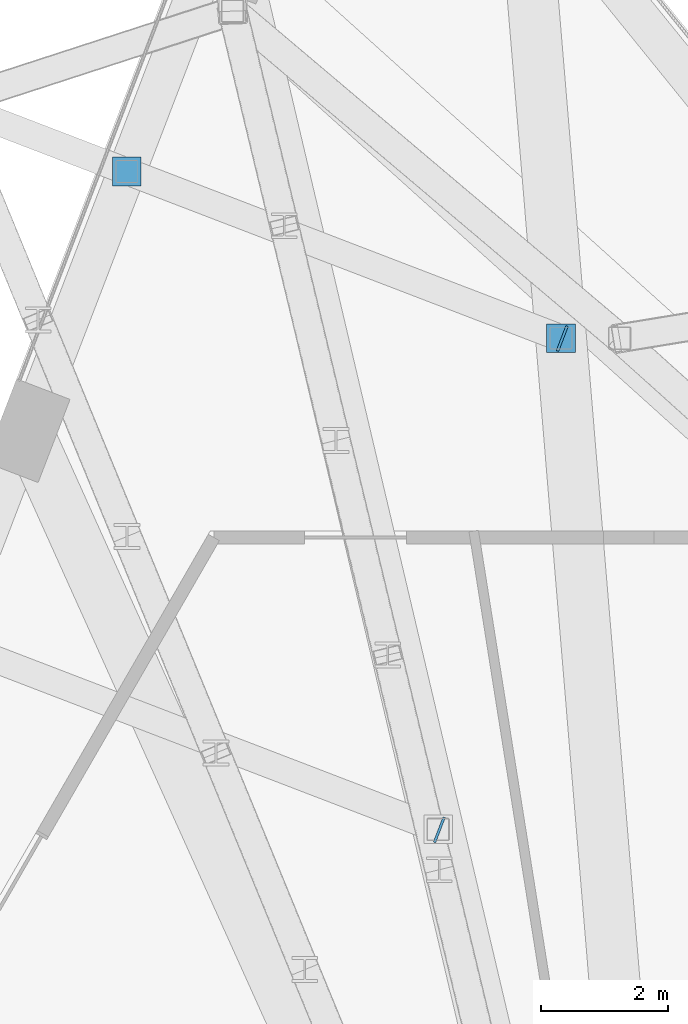
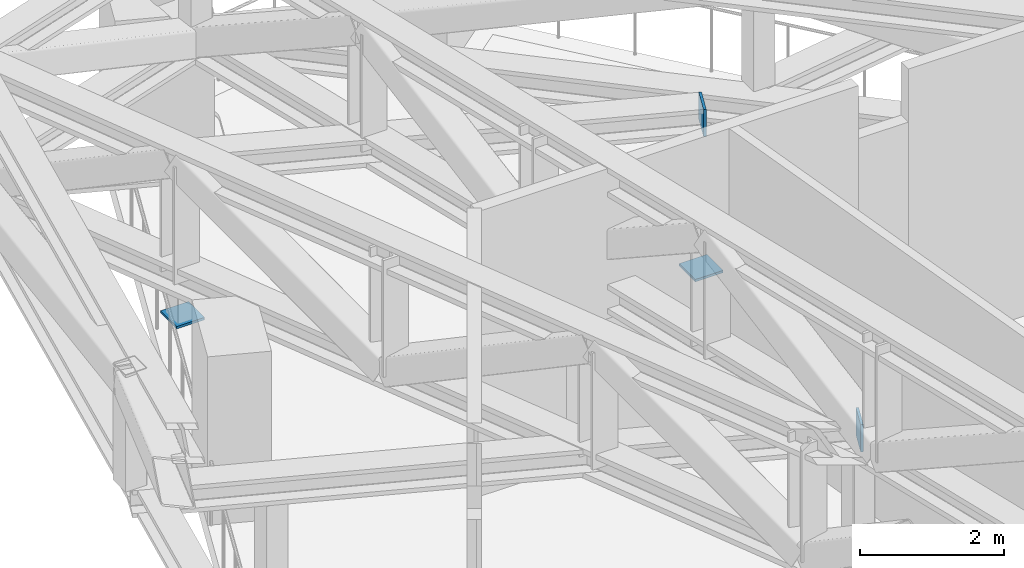
# One storey, part 16 of 20: 4 discrete accessories.
"""IFC4 building model written with IfcOpenShell, lengths in metres."""

import ifcopenshell
import ifcopenshell.guid

model = None  # the IFC model being written
_history = None  # IfcOwnerHistory: only IFC2X3 demands one
_inside = {}  # id of a spatial element -> (the spatial element, [elements in it])
_under = {}  # id of a project, library or spatial element -> (it, [spatial elements below it])
_declared = {}  # id of a project -> (the project, [libraries it declares])
_typed = {}  # id of a type object -> (the type object, [elements of that type])
_made_of = {}  # id of a material, layer set ... -> (it, [elements and type objects made of it])


def new_model(schema):
    """Start an empty IFC model of exactly this schema.

    Asked for "IFC4X3", IfcOpenShell would pick the latest addendum, in which some entities
    have other attributes; the version numbers below select the first issue.
    IFC2X3 requires an IfcOwnerHistory on every rooted entity: one is made here for all.
    """
    global model, _history
    if schema == "IFC4X3":
        model = ifcopenshell.file(schema_version=(4, 3, 0, 0))
    else:
        model = ifcopenshell.file(schema=schema)
    _inside.clear()
    _under.clear()
    _declared.clear()
    _typed.clear()
    _made_of.clear()
    _history = None
    if model.schema == "IFC2X3":
        org = make("IfcOrganization", Name="unknown")
        user = make(
            "IfcPersonAndOrganization",
            ThePerson=make("IfcPerson", FamilyName="unknown"),
            TheOrganization=org,
        )
        app = make(
            "IfcApplication",
            ApplicationDeveloper=org,
            Version="unknown",
            ApplicationFullName="unknown",
            ApplicationIdentifier="unknown",
        )
        _history = make(
            "IfcOwnerHistory",
            OwningUser=user,
            OwningApplication=app,
            ChangeAction="ADDED",
            CreationDate=0,
        )
    return model


def make(cls, **values):
    """One entity of the class cls with the attributes given. An attribute that is None is left unset."""
    return model.create_entity(
        cls, **{name: value for name, value in values.items() if value is not None}
    )


def rooted(cls, **values):
    """An entity with a GlobalId (a new one), such as an element, a storey or a relation."""
    return make(cls, GlobalId=ifcopenshell.guid.new(), OwnerHistory=_history, **values)


def si_unit(unit_type, name, prefix=None):
    """IfcSIUnit, for example si_unit("LENGTHUNIT", "METRE", prefix="MILLI")."""
    return make("IfcSIUnit", UnitType=unit_type, Prefix=prefix, Name=name)


def assignment(units):
    """IfcUnitAssignment: the units of a project."""
    return None if units is None else make("IfcUnitAssignment", Units=units)


def point(xyz):
    """IfcCartesianPoint."""
    return None if xyz is None else make("IfcCartesianPoint", Coordinates=xyz)


def direction(xyz):
    """IfcDirection."""
    return None if xyz is None else make("IfcDirection", DirectionRatios=xyz)


def frame(location, z_axis=None, x_axis=None):
    """IfcAxis2Placement3D, a coordinate frame: its origin and axes. An axis left out is left unset."""
    return make(
        "IfcAxis2Placement3D",
        Location=point(location),
        Axis=direction(z_axis),
        RefDirection=direction(x_axis),
    )


def frame_2d(location, x_axis=None):
    """IfcAxis2Placement2D, a coordinate frame in the plane: its origin and x axis."""
    return make(
        "IfcAxis2Placement2D", Location=point(location), RefDirection=direction(x_axis)
    )


def origin():
    """The frame at (0, 0, 0) with its axes left unset."""
    return frame((0.0, 0.0, 0.0))


def origin_2d():
    """The frame at (0, 0) in the plane with its x axis left unset."""
    return frame_2d((0.0, 0.0))


def place(relative_to, where):
    """IfcLocalPlacement: puts the frame where relative to a parent placement (None: the world)."""
    return make(
        "IfcLocalPlacement", PlacementRelTo=relative_to, RelativePlacement=where
    )


def context(
    kind, dimensions, precision=None, world=None, true_north=None, identifier=None
):
    """IfcGeometricRepresentationContext, for example the 3D "Model" context."""
    return make(
        "IfcGeometricRepresentationContext",
        ContextIdentifier=identifier,
        ContextType=kind,
        CoordinateSpaceDimension=dimensions,
        Precision=precision,
        WorldCoordinateSystem=world,
        TrueNorth=true_north,
    )


def subcontext(parent, identifier, kind, view, scale=None):
    """IfcGeometricRepresentationSubContext, for example "Body" below "Model"."""
    return make(
        "IfcGeometricRepresentationSubContext",
        ContextIdentifier=identifier,
        ContextType=kind,
        ParentContext=parent,
        TargetScale=scale,
        TargetView=view,
    )


def project(units=None, contexts=None):
    """IfcProject with its units and contexts."""
    return rooted(
        "IfcProject",
        Name="project",
        RepresentationContexts=contexts,
        UnitsInContext=assignment(units),
    )


def spatial(cls, under=None, at=None, **own):
    """A site, building, storey or space (cls), placed at a placement, below another one or the project."""
    s = rooted(cls, ObjectPlacement=at, **own)
    if under is not None:
        _under.setdefault(under.id(), (under, []))[1].append(s)
    return s


def profile(cls, at=None, kind="AREA", **sizes):
    """A parametric profile (cls). Its sizes go by their IFC names, for example OverallWidth=200.0."""
    return make(cls, ProfileType=kind, Position=at, **sizes)


def rectangle(**sizes):
    """IfcRectangleProfileDef."""
    return profile("IfcRectangleProfileDef", **sizes)


def extrude(swept, where, along, depth):
    """IfcExtrudedAreaSolid: the profile swept, set in the frame where, extruded along a direction by depth."""
    return make(
        "IfcExtrudedAreaSolid",
        SweptArea=swept,
        Position=where,
        ExtrudedDirection=direction(along),
        Depth=depth,
    )


def shape(context_of_items, identifier, shape_type, items):
    """IfcShapeRepresentation: the items that make up one representation, for example the "Body"."""
    return make(
        "IfcShapeRepresentation",
        ContextOfItems=context_of_items,
        RepresentationIdentifier=identifier,
        RepresentationType=shape_type,
        Items=items,
    )


def material(Name=None, Category=None):
    """IfcMaterial."""
    return make("IfcMaterial", Name=Name, Category=Category)


def layer(
    of_material, thickness, ventilated=None, Name=None, Category=None, Priority=None
):
    """IfcMaterialLayer: one layer of a wall or slab, of a material (None: an air gap)."""
    return make(
        "IfcMaterialLayer",
        Material=of_material,
        LayerThickness=thickness,
        IsVentilated=ventilated,
        Name=Name,
        Category=Category,
        Priority=Priority,
    )


def layer_set(layers, Name=None):
    """IfcMaterialLayerSet."""
    return make("IfcMaterialLayerSet", MaterialLayers=layers, LayerSetName=Name)


def made_of(thing, what):
    """Note that an element or type object is made of a material, layer set ...; save() writes the relation."""
    if what is not None:
        _made_of.setdefault(what.id(), (what, []))[1].append(thing)
    return thing


def type_object(cls, material=None, **own):
    """A type object (cls), such as IfcWallType, which elements share."""
    return made_of(rooted(cls, **own), material)


def element(
    cls,
    number,
    at=None,
    inside=None,
    cuts=None,
    type_object=None,
    material=None,
    context=None,
    identifier="Body",
    shape_type=None,
    held_by="IfcProductDefinitionShape",
    body=None,
    shapes=None,
    **own,
):
    """One element of the class cls, such as IfcWall. Its Tag is "e" and its number.

    at: its placement. inside: the storey or other place that contains it. cuts: it is an
    opening in that element (IfcRelVoidsElement). A single representation is given by context,
    identifier, shape_type and body (its items); several are given by shapes. held_by: the class
    of the entity that holds the representations. save() writes the other relations.
    """
    e = rooted(cls, Tag="e%d" % number, ObjectPlacement=at, **own)
    if body is not None:
        shapes = [shape(context, identifier, shape_type, body)]
    if shapes is not None:
        e.Representation = make(held_by, Representations=shapes)
    if inside is not None:
        _inside.setdefault(inside.id(), (inside, []))[1].append(e)
    if cuts is not None:
        rooted(
            "IfcRelVoidsElement", RelatingBuildingElement=cuts, RelatedOpeningElement=e
        )
    if type_object is not None:
        _typed.setdefault(type_object.id(), (type_object, []))[1].append(e)
    return made_of(e, material)


def aggregate(whole, parts):
    """IfcRelAggregates: a whole, such as a stair, and the parts it consists of."""
    return rooted("IfcRelAggregates", RelatingObject=whole, RelatedObjects=parts)


def save(model, path):
    """Write the relations noted so far, then the file.

    IfcRelAggregates (storeys below a building ...), IfcRelContainedInSpatialStructure (elements
    in a storey), IfcRelDefinesByType, IfcRelAssociatesMaterial and IfcRelDeclares: one each for
    every whole, place, type object, material and project.
    """
    for whole, parts in _under.values():
        aggregate(whole, parts)
    for where, things in _inside.values():
        rooted(
            "IfcRelContainedInSpatialStructure",
            RelatedElements=things,
            RelatingStructure=where,
        )
    for kind, things in _typed.values():
        rooted("IfcRelDefinesByType", RelatedObjects=things, RelatingType=kind)
    for what, things in _made_of.values():
        rooted("IfcRelAssociatesMaterial", RelatedObjects=things, RelatingMaterial=what)
    for by, libraries in _declared.values():
        rooted("IfcRelDeclares", RelatingContext=by, RelatedDefinitions=libraries)
    model.write(path)


model = new_model("IFC4")

# Units and contexts
model_context = context("Model", 3, precision=1e-05, world=origin(), true_north=direction((0.0, 1.0)))
body_context = subcontext(model_context, "Body", "Model", "MODEL_VIEW")
ifc_project = project(units=[si_unit("LENGTHUNIT", "METRE"), si_unit("AREAUNIT", "SQUARE_METRE"), si_unit("VOLUMEUNIT", "CUBIC_METRE"), si_unit("PLANEANGLEUNIT", "RADIAN"), si_unit("MASSUNIT", "GRAM", prefix="KILO")], contexts=[model_context])

# Site, building, storey
site_placement = place(None, origin())
site = spatial("IfcSite", under=ifc_project, at=site_placement, CompositionType="ELEMENT")
building_placement = place(site_placement, origin())
building = spatial("IfcBuilding", under=site, at=building_placement, Name="Tramontana Tower", CompositionType="ELEMENT")
storey_placement = place(building_placement, frame((0.0, 0.0, 83.199951171875)))
storey = spatial("IfcBuildingStorey", under=building, at=storey_placement, Name="L18", CompositionType="ELEMENT", Elevation=83.199951171875)

# Discrete accessories
ifc_material_1 = material(Name="Steel ASTM A572 Grade 50", Category="steel")
ifc_layer_1 = layer(ifc_material_1, 0.0400390625)
ifc_layer_set_1 = layer_set([ifc_layer_1], Name="Base plate 450X450X40")
discrete_accessory_type_1 = type_object("IfcDiscreteAccessoryType", Name="Base plate 450X450X40", PredefinedType="ANCHORPLATE", material=ifc_layer_set_1)
for number, where, z_axis, x_axis, name in (
    (1, (-8.872802734375, 27.2529296875, 0.0), (0.0, 0.0, 1.0), (1.0, 0.0, 0.0), "Transfer truss post base plate C2K1.1"),
    (2, (-2.048583984375, 24.633544921875, 0.0), (0.0, 0.0, 1.0), (1.0, 0.0, 0.0), "Transfer truss post base plate C2K1.2"),
):
    element("IfcDiscreteAccessory", number, at=place(storey_placement, frame(where, z_axis=z_axis, x_axis=x_axis)), inside=storey, type_object=discrete_accessory_type_1, Name=name, PredefinedType="ANCHORPLATE", context=body_context, shape_type="SweptSolid", body=[
        extrude(rectangle(XDim=0.449951171875, YDim=0.449951171875, at=origin_2d()), origin(), (0.0, 0.0, 1.0), 0.0400390625),
    ])
ifc_material_2 = material(Name="Steel ASTM A572 Grade 50", Category="steel")
ifc_layer_2 = layer(ifc_material_2, 0.0400390625)
ifc_layer_set_2 = layer_set([ifc_layer_2], Name="End plate 422X464X40")
discrete_accessory_type_2 = type_object("IfcDiscreteAccessoryType", Name="End plate 422X464X40", PredefinedType="ANCHORPLATE", material=ifc_layer_set_2)
for number, where, z_axis, x_axis, name in (
    (3, (-3.962158203125, 16.904541015625, 2.39990234375), (0.0, 0.0, 1.0), (-0.358367949545, -0.933580426497, 0.0), "Transfer truss girder end plate C2F01.2"),
    (4, (-2.030029296875, 24.626220703125, 2.39990234375), (0.0, 0.0, 1.0), (-0.358367949545, -0.933580426497, 0.0), "Transfer truss girder end plate C2K1.2"),
):
    element("IfcDiscreteAccessory", number, at=place(storey_placement, frame(where, z_axis=z_axis, x_axis=x_axis)), inside=storey, type_object=discrete_accessory_type_2, Name=name, PredefinedType="ANCHORPLATE", context=body_context, shape_type="SweptSolid", body=[
        extrude(rectangle(XDim=0.42236328125, YDim=0.0400390625, at=origin_2d()), origin(), (0.0, 0.0, 1.0), 0.463623046875),
    ])

save(model, "model.ifc")
